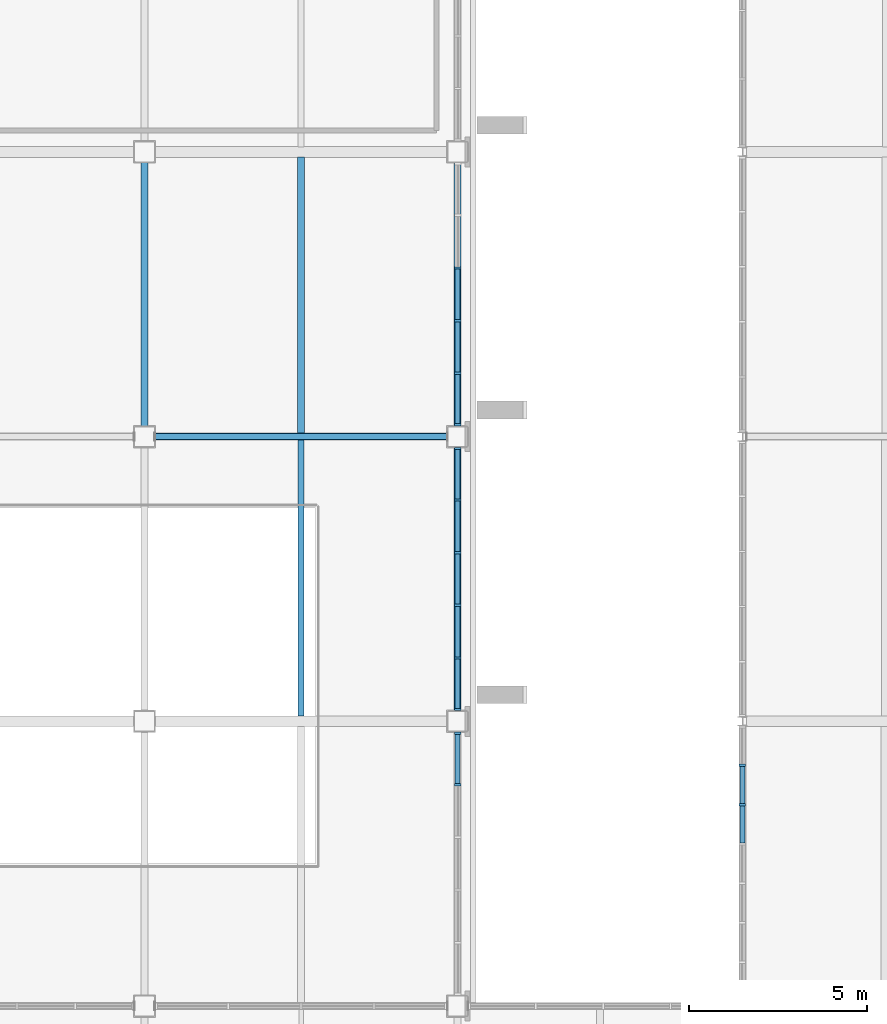
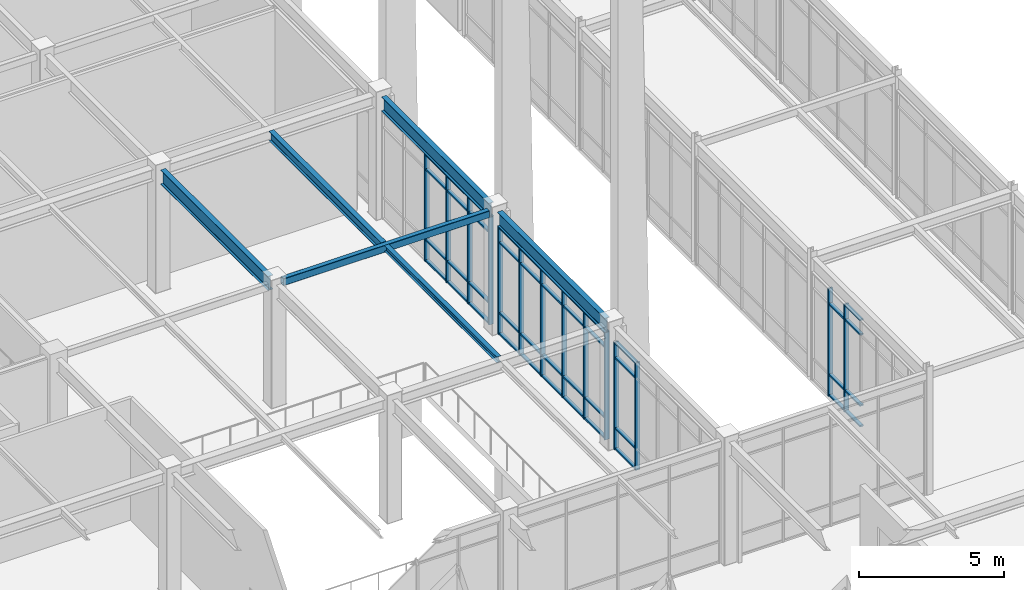
# One storey, part 40 of 184: 57 members, 6 beams, 4 elements without a shape of their own.
"""IFC4 building model written with IfcOpenShell, lengths in metres."""

from ifc_helpers import new_model, si_unit, direction, frame, origin, origin_2d, place, context, subcontext, project, spatial, rectangle, hollow_rectangle, i_section, extrude, material, material_profile, profile_set, type_object, element, aggregate, save


model = new_model("IFC4")

# Units and contexts
model_context = context("Model", 3, precision=1e-05, world=origin(), true_north=direction((0.0, 1.0)))
body_context = subcontext(model_context, "Body", "Model", "MODEL_VIEW")
ifc_project = project(units=[si_unit("LENGTHUNIT", "METRE"), si_unit("AREAUNIT", "SQUARE_METRE"), si_unit("VOLUMEUNIT", "CUBIC_METRE"), si_unit("PLANEANGLEUNIT", "RADIAN"), si_unit("MASSUNIT", "GRAM", prefix="KILO")], contexts=[model_context])

# Site, building, storey
site_placement = place(None, origin())
site = spatial("IfcSite", under=ifc_project, at=site_placement, CompositionType="ELEMENT")
building_placement = place(site_placement, origin())
building = spatial("IfcBuilding", under=site, at=building_placement, Name="Zhaolan Boulevard Law Courts", CompositionType="ELEMENT")
storey_placement = place(building_placement, frame((0.0, 0.0, 5.39990234375)))
storey = spatial("IfcBuildingStorey", under=building, at=storey_placement, Name="L01", CompositionType="ELEMENT", Elevation=5.39990234375)

# Curtain wall, members
ifc_material_1 = material(Name="Thermally broken aluminium and low-E glazing", Category="aluminium")
curtain_wall_type_1 = type_object("IfcCurtainWallType", Name="CURTAIN WALL M18", PredefinedType="USERDEFINED", material=ifc_material_1)
curtain_wall_1_placement = place(storey_placement, origin())
curtain_wall_1 = element("IfcCurtainWall", 1, at=curtain_wall_1_placement, inside=storey, type_object=curtain_wall_type_1, Name="Curtain Wall CW-L01-066", ObjectType="CURTAIN WALL", PredefinedType="USERDEFINED")
ifc_material_2 = material(Name="Fluorocarbon-coated aluminium 6063-T6", Category="aluminium")
ifc_material_profile_1 = material_profile(ifc_material_2, rectangle(XDim=0.179931640625, YDim=0.06494140625, at=origin_2d()), Name="AL65x180")
ifc_profile_set_1 = profile_set([ifc_material_profile_1], Name="Fluorocarbon-coated aluminium 6063-T6")
member_type_1 = type_object("IfcMemberType", Name="CWMULLION 65X180", PredefinedType="MULLION", material=ifc_profile_set_1)
member_1_placement = place(storey_placement, frame((52.0, 36.766357421875, 0.0), z_axis=(0.0, 0.0, 1.0), x_axis=(1.0, 0.0, 0.0)))
member_1 = element("IfcMember", 2, at=member_1_placement, type_object=member_type_1, Name="CW-L01-066 mullion 2", PredefinedType="MULLION", context=body_context, shape_type="SweptSolid", body=[
    extrude(rectangle(XDim=0.179931640625, YDim=0.06494140625, at=origin_2d()), origin(), (0.0, 0.0, 1.0), 4.533203125),
])
member_2_placement = place(storey_placement, frame((52.0, 35.659912109375, 0.0), z_axis=(0.0, 0.0, 1.0), x_axis=(1.0, 0.0, 0.0)))
member_2 = element("IfcMember", 3, at=member_2_placement, type_object=member_type_1, Name="CW-L01-066 mullion 3", PredefinedType="MULLION", context=body_context, shape_type="SweptSolid", body=[
    extrude(rectangle(XDim=0.179931640625, YDim=0.06494140625, at=origin_2d()), origin(), (0.0, 0.0, 1.0), 4.533203125),
])

ifc_material_3 = material(Name="Thermally broken aluminium and low-E glazing", Category="aluminium")
curtain_wall_type_2 = type_object("IfcCurtainWallType", Name="CURTAIN WALL M1", PredefinedType="USERDEFINED", material=ifc_material_3)
curtain_wall_2_placement = place(storey_placement, origin())
curtain_wall_2 = element("IfcCurtainWall", 4, at=curtain_wall_2_placement, inside=storey, type_object=curtain_wall_type_2, Name="Curtain Wall CW-L01-145", ObjectType="CURTAIN WALL", PredefinedType="USERDEFINED")
member_3_placement = place(storey_placement, frame((44.0, 36.21875, 0.0), z_axis=(0.0, 0.0, 1.0), x_axis=(-1.0, 0.0, 0.0)))
member_3 = element("IfcMember", 5, at=member_3_placement, type_object=member_type_1, Name="CW-L01-145 mullion 5", PredefinedType="MULLION", context=body_context, shape_type="SweptSolid", body=[
    extrude(rectangle(XDim=0.179931640625, YDim=0.06494140625, at=origin_2d()), origin(), (0.0, 0.0, 1.0), 4.523193359375),
])
member_4_placement = place(storey_placement, frame((44.0, 37.66552734375, 0.0), z_axis=(0.0, 0.0, 1.0), x_axis=(-1.0, 0.0, 0.0)))
member_4 = element("IfcMember", 6, at=member_4_placement, type_object=member_type_1, Name="CW-L01-145 mullion 6", PredefinedType="MULLION", context=body_context, shape_type="SweptSolid", body=[
    extrude(rectangle(XDim=0.179931640625, YDim=0.06494140625, at=origin_2d()), origin(), (0.0, 0.0, 1.0), 4.523193359375),
])

ifc_material_4 = material(Name="Thermally broken aluminium and low-E glazing", Category="aluminium")
curtain_wall_type_3 = type_object("IfcCurtainWallType", Name="CURTAIN WALL M2", PredefinedType="USERDEFINED", material=ifc_material_4)
curtain_wall_3_placement = place(storey_placement, origin())
curtain_wall_3 = element("IfcCurtainWall", 7, at=curtain_wall_3_placement, inside=storey, type_object=curtain_wall_type_3, Name="Curtain Wall CW-L01-146", ObjectType="CURTAIN WALL", PredefinedType="USERDEFINED")
member_5_placement = place(storey_placement, frame((44.0, 38.33447265625, 0.0), z_axis=(0.0, 0.0, 1.0), x_axis=(-1.0, 0.0, 0.0)))
member_5 = element("IfcMember", 8, at=member_5_placement, type_object=member_type_1, Name="CW-L01-146 mullion 1", PredefinedType="MULLION", context=body_context, shape_type="SweptSolid", body=[
    extrude(rectangle(XDim=0.179931640625, YDim=0.06494140625, at=origin_2d()), origin(), (0.0, 0.0, 1.0), 4.523193359375),
])
member_6_placement = place(storey_placement, frame((44.0, 39.78125, 0.0), z_axis=(0.0, 0.0, 1.0), x_axis=(-1.0, 0.0, 0.0)))
member_6 = element("IfcMember", 9, at=member_6_placement, type_object=member_type_1, Name="CW-L01-146 mullion 2", PredefinedType="MULLION", context=body_context, shape_type="SweptSolid", body=[
    extrude(rectangle(XDim=0.179931640625, YDim=0.06494140625, at=origin_2d()), origin(), (0.0, 0.0, 1.0), 4.523193359375),
])
member_7_placement = place(storey_placement, frame((44.0, 41.260498046875, 0.0), z_axis=(0.0, 0.0, 1.0), x_axis=(-1.0, 0.0, 0.0)))
member_7 = element("IfcMember", 10, at=member_7_placement, type_object=member_type_1, Name="CW-L01-146 mullion 3", PredefinedType="MULLION", context=body_context, shape_type="SweptSolid", body=[
    extrude(rectangle(XDim=0.179931640625, YDim=0.06494140625, at=origin_2d()), origin(), (0.0, 0.0, 1.0), 4.523193359375),
])
member_8_placement = place(storey_placement, frame((44.0, 42.739501953125, 0.0), z_axis=(0.0, 0.0, 1.0), x_axis=(-1.0, 0.0, 0.0)))
member_8 = element("IfcMember", 11, at=member_8_placement, type_object=member_type_1, Name="CW-L01-146 mullion 4", PredefinedType="MULLION", context=body_context, shape_type="SweptSolid", body=[
    extrude(rectangle(XDim=0.179931640625, YDim=0.06494140625, at=origin_2d()), origin(), (0.0, 0.0, 1.0), 4.523193359375),
])
member_9_placement = place(storey_placement, frame((44.0, 44.21875, 0.0), z_axis=(0.0, 0.0, 1.0), x_axis=(-1.0, 0.0, 0.0)))
member_9 = element("IfcMember", 12, at=member_9_placement, type_object=member_type_1, Name="CW-L01-146 mullion 5", PredefinedType="MULLION", context=body_context, shape_type="SweptSolid", body=[
    extrude(rectangle(XDim=0.179931640625, YDim=0.06494140625, at=origin_2d()), origin(), (0.0, 0.0, 1.0), 4.523193359375),
])
member_10_placement = place(storey_placement, frame((44.0, 45.66552734375, 0.0), z_axis=(0.0, 0.0, 1.0), x_axis=(-1.0, 0.0, 0.0)))
member_10 = element("IfcMember", 13, at=member_10_placement, type_object=member_type_1, Name="CW-L01-146 mullion 6", PredefinedType="MULLION", context=body_context, shape_type="SweptSolid", body=[
    extrude(rectangle(XDim=0.179931640625, YDim=0.06494140625, at=origin_2d()), origin(), (0.0, 0.0, 1.0), 4.523193359375),
])

ifc_material_5 = material(Name="Thermally broken aluminium and low-E glazing", Category="aluminium")
curtain_wall_type_4 = type_object("IfcCurtainWallType", Name="CURTAIN WALL M3", PredefinedType="USERDEFINED", material=ifc_material_5)
curtain_wall_4_placement = place(storey_placement, origin())
curtain_wall_4 = element("IfcCurtainWall", 14, at=curtain_wall_4_placement, inside=storey, type_object=curtain_wall_type_4, Name="Curtain Wall CW-L01-147", ObjectType="CURTAIN WALL", PredefinedType="USERDEFINED")
member_11_placement = place(storey_placement, frame((44.0, 46.33447265625, 0.0), z_axis=(0.0, 0.0, 1.0), x_axis=(-1.0, 0.0, 0.0)))
member_11 = element("IfcMember", 15, at=member_11_placement, type_object=member_type_1, Name="CW-L01-147 mullion 1", PredefinedType="MULLION", context=body_context, shape_type="SweptSolid", body=[
    extrude(rectangle(XDim=0.179931640625, YDim=0.06494140625, at=origin_2d()), origin(), (0.0, 0.0, 1.0), 4.523193359375),
])
member_12_placement = place(storey_placement, frame((44.0, 47.78125, 0.0), z_axis=(0.0, 0.0, 1.0), x_axis=(-1.0, 0.0, 0.0)))
member_12 = element("IfcMember", 16, at=member_12_placement, type_object=member_type_1, Name="CW-L01-147 mullion 2", PredefinedType="MULLION", context=body_context, shape_type="SweptSolid", body=[
    extrude(rectangle(XDim=0.179931640625, YDim=0.06494140625, at=origin_2d()), origin(), (0.0, 0.0, 1.0), 4.523193359375),
])
member_13_placement = place(storey_placement, frame((44.0, 49.260498046875, 0.0), z_axis=(0.0, 0.0, 1.0), x_axis=(-1.0, 0.0, 0.0)))
member_13 = element("IfcMember", 17, at=member_13_placement, type_object=member_type_1, Name="CW-L01-147 mullion 3", PredefinedType="MULLION", context=body_context, shape_type="SweptSolid", body=[
    extrude(rectangle(XDim=0.179931640625, YDim=0.06494140625, at=origin_2d()), origin(), (0.0, 0.0, 1.0), 4.523193359375),
])
member_14_placement = place(storey_placement, frame((44.0, 50.739501953125, 0.0), z_axis=(0.0, 0.0, 1.0), x_axis=(-1.0, 0.0, 0.0)))
member_14 = element("IfcMember", 18, at=member_14_placement, type_object=member_type_1, Name="CW-L01-147 mullion 4", PredefinedType="MULLION", context=body_context, shape_type="SweptSolid", body=[
    extrude(rectangle(XDim=0.179931640625, YDim=0.06494140625, at=origin_2d()), origin(), (0.0, 0.0, 1.0), 4.523193359375),
])

# Member
ifc_material_6 = material(Name="Fluorocarbon-coated aluminium 6063-T6", Category="aluminium")
ifc_material_profile_2 = material_profile(ifc_material_6, rectangle(XDim=0.139892578125, YDim=0.06494140625, at=origin_2d()), Name="AL65x140")
ifc_profile_set_2 = profile_set([ifc_material_profile_2], Name="Fluorocarbon-coated aluminium 6063-T6")
member_type_2 = type_object("IfcMemberType", Name="CWTRANSOM 65X140", PredefinedType="USERDEFINED", material=ifc_profile_set_2)
member_15_placement = place(storey_placement, frame((52.0, 36.73388671875, 0.03271484375), z_axis=(0.0, -1.0, 0.0), x_axis=(1.0, 0.0, 0.0)))
member_15 = element("IfcMember", 19, at=member_15_placement, type_object=member_type_2, Name="CW-L01-066 transom 2.1", ObjectType="TRANSOM", PredefinedType="USERDEFINED", context=body_context, shape_type="SweptSolid", body=[
    extrude(rectangle(XDim=0.139892578125, YDim=0.06494140625, at=origin_2d()), origin(), (0.0, 0.0, 1.0), 1.04150390625),
])

member_16_placement = place(storey_placement, frame((52.0, 36.73388671875, 0.900146484375), z_axis=(0.0, -1.0, 0.0), x_axis=(1.0, 0.0, 0.0)))
member_16 = element("IfcMember", 20, at=member_16_placement, type_object=member_type_2, Name="CW-L01-066 transom 2.2", ObjectType="TRANSOM", PredefinedType="USERDEFINED", context=body_context, shape_type="SweptSolid", body=[
    extrude(rectangle(XDim=0.139892578125, YDim=0.06494140625, at=origin_2d()), origin(), (0.0, 0.0, 1.0), 1.04150390625),
])

member_17_placement = place(storey_placement, frame((52.0, 36.73388671875, 3.883056640625), z_axis=(0.0, -1.0, 0.0), x_axis=(1.0, 0.0, 0.0)))
member_17 = element("IfcMember", 21, at=member_17_placement, type_object=member_type_2, Name="CW-L01-066 transom 2.3", ObjectType="TRANSOM", PredefinedType="USERDEFINED", context=body_context, shape_type="SweptSolid", body=[
    extrude(rectangle(XDim=0.139892578125, YDim=0.06494140625, at=origin_2d()), origin(), (0.0, 0.0, 1.0), 1.04150390625),
])

member_18_placement = place(storey_placement, frame((52.0, 35.62744140625, 0.03271484375), z_axis=(0.0, -1.0, 0.0), x_axis=(1.0, 0.0, 0.0)))
member_18 = element("IfcMember", 22, at=member_18_placement, type_object=member_type_2, Name="CW-L01-066 transom 3.1", ObjectType="TRANSOM", PredefinedType="USERDEFINED", context=body_context, shape_type="SweptSolid", body=[
    extrude(rectangle(XDim=0.139892578125, YDim=0.06494140625, at=origin_2d()), origin(), (0.0, 0.0, 1.0), 1.041748046875),
])

member_19_placement = place(storey_placement, frame((52.0, 35.62744140625, 0.900146484375), z_axis=(0.0, -1.0, 0.0), x_axis=(1.0, 0.0, 0.0)))
member_19 = element("IfcMember", 23, at=member_19_placement, type_object=member_type_2, Name="CW-L01-066 transom 3.2", ObjectType="TRANSOM", PredefinedType="USERDEFINED", context=body_context, shape_type="SweptSolid", body=[
    extrude(rectangle(XDim=0.139892578125, YDim=0.06494140625, at=origin_2d()), origin(), (0.0, 0.0, 1.0), 1.041748046875),
])

member_20_placement = place(storey_placement, frame((52.0, 35.62744140625, 3.883056640625), z_axis=(0.0, -1.0, 0.0), x_axis=(1.0, 0.0, 0.0)))
member_20 = element("IfcMember", 24, at=member_20_placement, type_object=member_type_2, Name="CW-L01-066 transom 3.3", ObjectType="TRANSOM", PredefinedType="USERDEFINED", context=body_context, shape_type="SweptSolid", body=[
    extrude(rectangle(XDim=0.139892578125, YDim=0.06494140625, at=origin_2d()), origin(), (0.0, 0.0, 1.0), 1.041748046875),
])

member_21_placement = place(storey_placement, frame((52.0, 35.62744140625, 4.50048828125), z_axis=(0.0, -1.0, 0.0), x_axis=(1.0, 0.0, 0.0)))
member_21 = element("IfcMember", 25, at=member_21_placement, type_object=member_type_2, Name="CW-L01-066 transom 3.4", ObjectType="TRANSOM", PredefinedType="USERDEFINED", context=body_context, shape_type="SweptSolid", body=[
    extrude(rectangle(XDim=0.139892578125, YDim=0.06494140625, at=origin_2d()), origin(), (0.0, 0.0, 1.0), 1.041748046875),
])

aggregate(curtain_wall_1, [member_1, member_2, member_15, member_16, member_17, member_18, member_19, member_20, member_21])

member_22_placement = place(storey_placement, frame((44.0, 36.251220703125, 0.03271484375), z_axis=(0.0, 1.0, 0.0), x_axis=(-1.0, 0.0, 0.0)))
member_22 = element("IfcMember", 26, at=member_22_placement, type_object=member_type_2, Name="CW-L01-145 transom 5.1", ObjectType="TRANSOM", PredefinedType="USERDEFINED", context=body_context, shape_type="SweptSolid", body=[
    extrude(rectangle(XDim=0.139892578125, YDim=0.06494140625, at=origin_2d()), origin(), (0.0, 0.0, 1.0), 1.3818359375),
])

member_23_placement = place(storey_placement, frame((44.0, 36.251220703125, 0.900146484375), z_axis=(0.0, 1.0, 0.0), x_axis=(-1.0, 0.0, 0.0)))
member_23 = element("IfcMember", 27, at=member_23_placement, type_object=member_type_2, Name="CW-L01-145 transom 5.2", ObjectType="TRANSOM", PredefinedType="USERDEFINED", context=body_context, shape_type="SweptSolid", body=[
    extrude(rectangle(XDim=0.139892578125, YDim=0.06494140625, at=origin_2d()), origin(), (0.0, 0.0, 1.0), 1.3818359375),
])

member_24_placement = place(storey_placement, frame((44.0, 36.251220703125, 3.873046875), z_axis=(0.0, 1.0, 0.0), x_axis=(-1.0, 0.0, 0.0)))
member_24 = element("IfcMember", 28, at=member_24_placement, type_object=member_type_2, Name="CW-L01-145 transom 5.3", ObjectType="TRANSOM", PredefinedType="USERDEFINED", context=body_context, shape_type="SweptSolid", body=[
    extrude(rectangle(XDim=0.139892578125, YDim=0.06494140625, at=origin_2d()), origin(), (0.0, 0.0, 1.0), 1.3818359375),
])

member_25_placement = place(storey_placement, frame((44.0, 36.251220703125, 4.490478515625), z_axis=(0.0, 1.0, 0.0), x_axis=(-1.0, 0.0, 0.0)))
member_25 = element("IfcMember", 29, at=member_25_placement, type_object=member_type_2, Name="CW-L01-145 transom 5.4", ObjectType="TRANSOM", PredefinedType="USERDEFINED", context=body_context, shape_type="SweptSolid", body=[
    extrude(rectangle(XDim=0.139892578125, YDim=0.06494140625, at=origin_2d()), origin(), (0.0, 0.0, 1.0), 1.3818359375),
])

aggregate(curtain_wall_2, [member_3, member_4, member_22, member_23, member_24, member_25])

member_26_placement = place(storey_placement, frame((44.0, 38.366943359375, 0.03271484375), z_axis=(0.0, 1.0, 0.0), x_axis=(-1.0, 0.0, 0.0)))
member_26 = element("IfcMember", 30, at=member_26_placement, type_object=member_type_2, Name="CW-L01-146 transom 1.1", ObjectType="TRANSOM", PredefinedType="USERDEFINED", context=body_context, shape_type="SweptSolid", body=[
    extrude(rectangle(XDim=0.139892578125, YDim=0.06494140625, at=origin_2d()), origin(), (0.0, 0.0, 1.0), 1.3818359375),
])

member_27_placement = place(storey_placement, frame((44.0, 38.366943359375, 0.900146484375), z_axis=(0.0, 1.0, 0.0), x_axis=(-1.0, 0.0, 0.0)))
member_27 = element("IfcMember", 31, at=member_27_placement, type_object=member_type_2, Name="CW-L01-146 transom 1.2", ObjectType="TRANSOM", PredefinedType="USERDEFINED", context=body_context, shape_type="SweptSolid", body=[
    extrude(rectangle(XDim=0.139892578125, YDim=0.06494140625, at=origin_2d()), origin(), (0.0, 0.0, 1.0), 1.3818359375),
])

member_28_placement = place(storey_placement, frame((44.0, 38.366943359375, 3.873046875), z_axis=(0.0, 1.0, 0.0), x_axis=(-1.0, 0.0, 0.0)))
member_28 = element("IfcMember", 32, at=member_28_placement, type_object=member_type_2, Name="CW-L01-146 transom 1.3", ObjectType="TRANSOM", PredefinedType="USERDEFINED", context=body_context, shape_type="SweptSolid", body=[
    extrude(rectangle(XDim=0.139892578125, YDim=0.06494140625, at=origin_2d()), origin(), (0.0, 0.0, 1.0), 1.3818359375),
])

member_29_placement = place(storey_placement, frame((44.0, 38.366943359375, 4.490478515625), z_axis=(0.0, 1.0, 0.0), x_axis=(-1.0, 0.0, 0.0)))
member_29 = element("IfcMember", 33, at=member_29_placement, type_object=member_type_2, Name="CW-L01-146 transom 1.4", ObjectType="TRANSOM", PredefinedType="USERDEFINED", context=body_context, shape_type="SweptSolid", body=[
    extrude(rectangle(XDim=0.139892578125, YDim=0.06494140625, at=origin_2d()), origin(), (0.0, 0.0, 1.0), 1.3818359375),
])

member_30_placement = place(storey_placement, frame((44.0, 39.813720703125, 0.03271484375), z_axis=(0.0, 1.0, 0.0), x_axis=(-1.0, 0.0, 0.0)))
member_30 = element("IfcMember", 34, at=member_30_placement, type_object=member_type_2, Name="CW-L01-146 transom 2.1", ObjectType="TRANSOM", PredefinedType="USERDEFINED", context=body_context, shape_type="SweptSolid", body=[
    extrude(rectangle(XDim=0.139892578125, YDim=0.06494140625, at=origin_2d()), origin(), (0.0, 0.0, 1.0), 1.4140625),
])

member_31_placement = place(storey_placement, frame((44.0, 39.813720703125, 0.900146484375), z_axis=(0.0, 1.0, 0.0), x_axis=(-1.0, 0.0, 0.0)))
member_31 = element("IfcMember", 35, at=member_31_placement, type_object=member_type_2, Name="CW-L01-146 transom 2.2", ObjectType="TRANSOM", PredefinedType="USERDEFINED", context=body_context, shape_type="SweptSolid", body=[
    extrude(rectangle(XDim=0.139892578125, YDim=0.06494140625, at=origin_2d()), origin(), (0.0, 0.0, 1.0), 1.4140625),
])

member_32_placement = place(storey_placement, frame((44.0, 39.813720703125, 3.873046875), z_axis=(0.0, 1.0, 0.0), x_axis=(-1.0, 0.0, 0.0)))
member_32 = element("IfcMember", 36, at=member_32_placement, type_object=member_type_2, Name="CW-L01-146 transom 2.3", ObjectType="TRANSOM", PredefinedType="USERDEFINED", context=body_context, shape_type="SweptSolid", body=[
    extrude(rectangle(XDim=0.139892578125, YDim=0.06494140625, at=origin_2d()), origin(), (0.0, 0.0, 1.0), 1.4140625),
])

member_33_placement = place(storey_placement, frame((44.0, 39.813720703125, 4.490478515625), z_axis=(0.0, 1.0, 0.0), x_axis=(-1.0, 0.0, 0.0)))
member_33 = element("IfcMember", 37, at=member_33_placement, type_object=member_type_2, Name="CW-L01-146 transom 2.4", ObjectType="TRANSOM", PredefinedType="USERDEFINED", context=body_context, shape_type="SweptSolid", body=[
    extrude(rectangle(XDim=0.139892578125, YDim=0.06494140625, at=origin_2d()), origin(), (0.0, 0.0, 1.0), 1.4140625),
])

member_34_placement = place(storey_placement, frame((44.0, 41.29296875, 0.03271484375), z_axis=(0.0, 1.0, 0.0), x_axis=(-1.0, 0.0, 0.0)))
member_34 = element("IfcMember", 38, at=member_34_placement, type_object=member_type_2, Name="CW-L01-146 transom 3.1", ObjectType="TRANSOM", PredefinedType="USERDEFINED", context=body_context, shape_type="SweptSolid", body=[
    extrude(rectangle(XDim=0.139892578125, YDim=0.06494140625, at=origin_2d()), origin(), (0.0, 0.0, 1.0), 1.4140625),
])

member_35_placement = place(storey_placement, frame((44.0, 41.29296875, 0.900146484375), z_axis=(0.0, 1.0, 0.0), x_axis=(-1.0, 0.0, 0.0)))
member_35 = element("IfcMember", 39, at=member_35_placement, type_object=member_type_2, Name="CW-L01-146 transom 3.2", ObjectType="TRANSOM", PredefinedType="USERDEFINED", context=body_context, shape_type="SweptSolid", body=[
    extrude(rectangle(XDim=0.139892578125, YDim=0.06494140625, at=origin_2d()), origin(), (0.0, 0.0, 1.0), 1.4140625),
])

member_36_placement = place(storey_placement, frame((44.0, 41.29296875, 3.873046875), z_axis=(0.0, 1.0, 0.0), x_axis=(-1.0, 0.0, 0.0)))
member_36 = element("IfcMember", 40, at=member_36_placement, type_object=member_type_2, Name="CW-L01-146 transom 3.3", ObjectType="TRANSOM", PredefinedType="USERDEFINED", context=body_context, shape_type="SweptSolid", body=[
    extrude(rectangle(XDim=0.139892578125, YDim=0.06494140625, at=origin_2d()), origin(), (0.0, 0.0, 1.0), 1.4140625),
])

member_37_placement = place(storey_placement, frame((44.0, 41.29296875, 4.490478515625), z_axis=(0.0, 1.0, 0.0), x_axis=(-1.0, 0.0, 0.0)))
member_37 = element("IfcMember", 41, at=member_37_placement, type_object=member_type_2, Name="CW-L01-146 transom 3.4", ObjectType="TRANSOM", PredefinedType="USERDEFINED", context=body_context, shape_type="SweptSolid", body=[
    extrude(rectangle(XDim=0.139892578125, YDim=0.06494140625, at=origin_2d()), origin(), (0.0, 0.0, 1.0), 1.4140625),
])

member_38_placement = place(storey_placement, frame((44.0, 42.772216796875, 0.03271484375), z_axis=(0.0, 1.0, 0.0), x_axis=(-1.0, 0.0, 0.0)))
member_38 = element("IfcMember", 42, at=member_38_placement, type_object=member_type_2, Name="CW-L01-146 transom 4.1", ObjectType="TRANSOM", PredefinedType="USERDEFINED", context=body_context, shape_type="SweptSolid", body=[
    extrude(rectangle(XDim=0.139892578125, YDim=0.06494140625, at=origin_2d()), origin(), (0.0, 0.0, 1.0), 1.4140625),
])

member_39_placement = place(storey_placement, frame((44.0, 42.772216796875, 0.900146484375), z_axis=(0.0, 1.0, 0.0), x_axis=(-1.0, 0.0, 0.0)))
member_39 = element("IfcMember", 43, at=member_39_placement, type_object=member_type_2, Name="CW-L01-146 transom 4.2", ObjectType="TRANSOM", PredefinedType="USERDEFINED", context=body_context, shape_type="SweptSolid", body=[
    extrude(rectangle(XDim=0.139892578125, YDim=0.06494140625, at=origin_2d()), origin(), (0.0, 0.0, 1.0), 1.4140625),
])

member_40_placement = place(storey_placement, frame((44.0, 42.772216796875, 3.873046875), z_axis=(0.0, 1.0, 0.0), x_axis=(-1.0, 0.0, 0.0)))
member_40 = element("IfcMember", 44, at=member_40_placement, type_object=member_type_2, Name="CW-L01-146 transom 4.3", ObjectType="TRANSOM", PredefinedType="USERDEFINED", context=body_context, shape_type="SweptSolid", body=[
    extrude(rectangle(XDim=0.139892578125, YDim=0.06494140625, at=origin_2d()), origin(), (0.0, 0.0, 1.0), 1.4140625),
])

member_41_placement = place(storey_placement, frame((44.0, 42.772216796875, 4.490478515625), z_axis=(0.0, 1.0, 0.0), x_axis=(-1.0, 0.0, 0.0)))
member_41 = element("IfcMember", 45, at=member_41_placement, type_object=member_type_2, Name="CW-L01-146 transom 4.4", ObjectType="TRANSOM", PredefinedType="USERDEFINED", context=body_context, shape_type="SweptSolid", body=[
    extrude(rectangle(XDim=0.139892578125, YDim=0.06494140625, at=origin_2d()), origin(), (0.0, 0.0, 1.0), 1.4140625),
])

member_42_placement = place(storey_placement, frame((44.0, 44.251220703125, 0.03271484375), z_axis=(0.0, 1.0, 0.0), x_axis=(-1.0, 0.0, 0.0)))
member_42 = element("IfcMember", 46, at=member_42_placement, type_object=member_type_2, Name="CW-L01-146 transom 5.1", ObjectType="TRANSOM", PredefinedType="USERDEFINED", context=body_context, shape_type="SweptSolid", body=[
    extrude(rectangle(XDim=0.139892578125, YDim=0.06494140625, at=origin_2d()), origin(), (0.0, 0.0, 1.0), 1.3818359375),
])

member_43_placement = place(storey_placement, frame((44.0, 44.251220703125, 0.900146484375), z_axis=(0.0, 1.0, 0.0), x_axis=(-1.0, 0.0, 0.0)))
member_43 = element("IfcMember", 47, at=member_43_placement, type_object=member_type_2, Name="CW-L01-146 transom 5.2", ObjectType="TRANSOM", PredefinedType="USERDEFINED", context=body_context, shape_type="SweptSolid", body=[
    extrude(rectangle(XDim=0.139892578125, YDim=0.06494140625, at=origin_2d()), origin(), (0.0, 0.0, 1.0), 1.3818359375),
])

member_44_placement = place(storey_placement, frame((44.0, 44.251220703125, 3.873046875), z_axis=(0.0, 1.0, 0.0), x_axis=(-1.0, 0.0, 0.0)))
member_44 = element("IfcMember", 48, at=member_44_placement, type_object=member_type_2, Name="CW-L01-146 transom 5.3", ObjectType="TRANSOM", PredefinedType="USERDEFINED", context=body_context, shape_type="SweptSolid", body=[
    extrude(rectangle(XDim=0.139892578125, YDim=0.06494140625, at=origin_2d()), origin(), (0.0, 0.0, 1.0), 1.3818359375),
])

member_45_placement = place(storey_placement, frame((44.0, 44.251220703125, 4.490478515625), z_axis=(0.0, 1.0, 0.0), x_axis=(-1.0, 0.0, 0.0)))
member_45 = element("IfcMember", 49, at=member_45_placement, type_object=member_type_2, Name="CW-L01-146 transom 5.4", ObjectType="TRANSOM", PredefinedType="USERDEFINED", context=body_context, shape_type="SweptSolid", body=[
    extrude(rectangle(XDim=0.139892578125, YDim=0.06494140625, at=origin_2d()), origin(), (0.0, 0.0, 1.0), 1.3818359375),
])

aggregate(curtain_wall_3, [member_5, member_6, member_7, member_8, member_9, member_10, member_26, member_27, member_28, member_29, member_30, member_31, member_32, member_33, member_34, member_35, member_36, member_37, member_38, member_39, member_40, member_41, member_42, member_43, member_44, member_45])

member_46_placement = place(storey_placement, frame((44.0, 46.366943359375, 0.03271484375), z_axis=(0.0, 1.0, 0.0), x_axis=(-1.0, 0.0, 0.0)))
member_46 = element("IfcMember", 50, at=member_46_placement, type_object=member_type_2, Name="CW-L01-147 transom 1.1", ObjectType="TRANSOM", PredefinedType="USERDEFINED", context=body_context, shape_type="SweptSolid", body=[
    extrude(rectangle(XDim=0.139892578125, YDim=0.06494140625, at=origin_2d()), origin(), (0.0, 0.0, 1.0), 1.3818359375),
])

member_47_placement = place(storey_placement, frame((44.0, 46.366943359375, 0.900146484375), z_axis=(0.0, 1.0, 0.0), x_axis=(-1.0, 0.0, 0.0)))
member_47 = element("IfcMember", 51, at=member_47_placement, type_object=member_type_2, Name="CW-L01-147 transom 1.2", ObjectType="TRANSOM", PredefinedType="USERDEFINED", context=body_context, shape_type="SweptSolid", body=[
    extrude(rectangle(XDim=0.139892578125, YDim=0.06494140625, at=origin_2d()), origin(), (0.0, 0.0, 1.0), 1.3818359375),
])

member_48_placement = place(storey_placement, frame((44.0, 46.366943359375, 3.873046875), z_axis=(0.0, 1.0, 0.0), x_axis=(-1.0, 0.0, 0.0)))
member_48 = element("IfcMember", 52, at=member_48_placement, type_object=member_type_2, Name="CW-L01-147 transom 1.3", ObjectType="TRANSOM", PredefinedType="USERDEFINED", context=body_context, shape_type="SweptSolid", body=[
    extrude(rectangle(XDim=0.139892578125, YDim=0.06494140625, at=origin_2d()), origin(), (0.0, 0.0, 1.0), 1.3818359375),
])

member_49_placement = place(storey_placement, frame((44.0, 46.366943359375, 4.490478515625), z_axis=(0.0, 1.0, 0.0), x_axis=(-1.0, 0.0, 0.0)))
member_49 = element("IfcMember", 53, at=member_49_placement, type_object=member_type_2, Name="CW-L01-147 transom 1.4", ObjectType="TRANSOM", PredefinedType="USERDEFINED", context=body_context, shape_type="SweptSolid", body=[
    extrude(rectangle(XDim=0.139892578125, YDim=0.06494140625, at=origin_2d()), origin(), (0.0, 0.0, 1.0), 1.3818359375),
])

member_50_placement = place(storey_placement, frame((44.0, 47.813720703125, 0.03271484375), z_axis=(0.0, 1.0, 0.0), x_axis=(-1.0, 0.0, 0.0)))
member_50 = element("IfcMember", 54, at=member_50_placement, type_object=member_type_2, Name="CW-L01-147 transom 2.1", ObjectType="TRANSOM", PredefinedType="USERDEFINED", context=body_context, shape_type="SweptSolid", body=[
    extrude(rectangle(XDim=0.139892578125, YDim=0.06494140625, at=origin_2d()), origin(), (0.0, 0.0, 1.0), 1.4140625),
])

member_51_placement = place(storey_placement, frame((44.0, 47.813720703125, 0.900146484375), z_axis=(0.0, 1.0, 0.0), x_axis=(-1.0, 0.0, 0.0)))
member_51 = element("IfcMember", 55, at=member_51_placement, type_object=member_type_2, Name="CW-L01-147 transom 2.2", ObjectType="TRANSOM", PredefinedType="USERDEFINED", context=body_context, shape_type="SweptSolid", body=[
    extrude(rectangle(XDim=0.139892578125, YDim=0.06494140625, at=origin_2d()), origin(), (0.0, 0.0, 1.0), 1.4140625),
])

member_52_placement = place(storey_placement, frame((44.0, 47.813720703125, 3.873046875), z_axis=(0.0, 1.0, 0.0), x_axis=(-1.0, 0.0, 0.0)))
member_52 = element("IfcMember", 56, at=member_52_placement, type_object=member_type_2, Name="CW-L01-147 transom 2.3", ObjectType="TRANSOM", PredefinedType="USERDEFINED", context=body_context, shape_type="SweptSolid", body=[
    extrude(rectangle(XDim=0.139892578125, YDim=0.06494140625, at=origin_2d()), origin(), (0.0, 0.0, 1.0), 1.4140625),
])

member_53_placement = place(storey_placement, frame((44.0, 47.813720703125, 4.490478515625), z_axis=(0.0, 1.0, 0.0), x_axis=(-1.0, 0.0, 0.0)))
member_53 = element("IfcMember", 57, at=member_53_placement, type_object=member_type_2, Name="CW-L01-147 transom 2.4", ObjectType="TRANSOM", PredefinedType="USERDEFINED", context=body_context, shape_type="SweptSolid", body=[
    extrude(rectangle(XDim=0.139892578125, YDim=0.06494140625, at=origin_2d()), origin(), (0.0, 0.0, 1.0), 1.4140625),
])

member_54_placement = place(storey_placement, frame((44.0, 49.29296875, 0.03271484375), z_axis=(0.0, 1.0, 0.0), x_axis=(-1.0, 0.0, 0.0)))
member_54 = element("IfcMember", 58, at=member_54_placement, type_object=member_type_2, Name="CW-L01-147 transom 3.1", ObjectType="TRANSOM", PredefinedType="USERDEFINED", context=body_context, shape_type="SweptSolid", body=[
    extrude(rectangle(XDim=0.139892578125, YDim=0.06494140625, at=origin_2d()), origin(), (0.0, 0.0, 1.0), 1.4140625),
])

member_55_placement = place(storey_placement, frame((44.0, 49.29296875, 0.900146484375), z_axis=(0.0, 1.0, 0.0), x_axis=(-1.0, 0.0, 0.0)))
member_55 = element("IfcMember", 59, at=member_55_placement, type_object=member_type_2, Name="CW-L01-147 transom 3.2", ObjectType="TRANSOM", PredefinedType="USERDEFINED", context=body_context, shape_type="SweptSolid", body=[
    extrude(rectangle(XDim=0.139892578125, YDim=0.06494140625, at=origin_2d()), origin(), (0.0, 0.0, 1.0), 1.4140625),
])

member_56_placement = place(storey_placement, frame((44.0, 49.29296875, 3.873046875), z_axis=(0.0, 1.0, 0.0), x_axis=(-1.0, 0.0, 0.0)))
member_56 = element("IfcMember", 60, at=member_56_placement, type_object=member_type_2, Name="CW-L01-147 transom 3.3", ObjectType="TRANSOM", PredefinedType="USERDEFINED", context=body_context, shape_type="SweptSolid", body=[
    extrude(rectangle(XDim=0.139892578125, YDim=0.06494140625, at=origin_2d()), origin(), (0.0, 0.0, 1.0), 1.4140625),
])

member_57_placement = place(storey_placement, frame((44.0, 49.29296875, 4.490478515625), z_axis=(0.0, 1.0, 0.0), x_axis=(-1.0, 0.0, 0.0)))
member_57 = element("IfcMember", 61, at=member_57_placement, type_object=member_type_2, Name="CW-L01-147 transom 3.4", ObjectType="TRANSOM", PredefinedType="USERDEFINED", context=body_context, shape_type="SweptSolid", body=[
    extrude(rectangle(XDim=0.139892578125, YDim=0.06494140625, at=origin_2d()), origin(), (0.0, 0.0, 1.0), 1.4140625),
])

aggregate(curtain_wall_4, [member_11, member_12, member_13, member_14, member_46, member_47, member_48, member_49, member_50, member_51, member_52, member_53, member_54, member_55, member_56, member_57])

# Beams
ifc_material_7 = material(Name="Structural steel Q355B", Category="steel")
ifc_material_profile_3 = material_profile(ifc_material_7, i_section(OverallWidth=0.199951171875, OverallDepth=0.60009765625, WebThickness=0.010986328125, FlangeThickness=0.01708984375, FilletRadius=0.02001953125, at=origin_2d()), Name="HN600x200")
ifc_profile_set_3 = profile_set([ifc_material_profile_3], Name="Structural steel Q355B")
beam_type_1 = type_object("IfcBeamType", Name="GIRDER HN600", PredefinedType="BEAM", material=ifc_profile_set_3)
for number, where, z_axis, x_axis, name in (
    (62, (35.199951171875, 46.2958984375, 4.838134765625), (0.0, 1.0, 0.0), (-1.0, 0.0, 0.0), "Beam BY-L02-5-G-H"),
    (63, (44.0, 38.2958984375, 4.838134765625), (0.0, 1.0, 0.0), (-1.0, 0.0, 0.0), "Beam BY-L02-6-F-G"),
    (64, (44.0, 46.2958984375, 4.838134765625), (0.0, 1.0, 0.0), (-1.0, 0.0, 0.0), "Beam BY-L02-6-G-H"),
):
    element("IfcBeam", number, at=place(storey_placement, frame(where, z_axis=z_axis, x_axis=x_axis)), inside=storey, type_object=beam_type_1, Name=name, PredefinedType="BEAM", context=body_context, shape_type="SweptSolid", body=[
        extrude(i_section(OverallWidth=0.199951171875, OverallDepth=0.60009765625, WebThickness=0.010986328125, FlangeThickness=0.01708984375, FilletRadius=0.02001953125, at=origin_2d()), origin(), (0.0, 0.0, 1.0), 7.408203125),
    ])
ifc_material_8 = material(Name="Structural steel Q355B", Category="steel")
ifc_material_profile_4 = material_profile(ifc_material_8, i_section(OverallWidth=0.175048828125, OverallDepth=0.243896484375, WebThickness=0.007080078125, FlangeThickness=0.010986328125, FilletRadius=0.012939453125, at=origin_2d()), Name="HM244x175")
ifc_profile_set_4 = profile_set([ifc_material_profile_4], Name="Structural steel Q355B")
beam_type_2 = type_object("IfcBeamType", Name="JOIST HM244", PredefinedType="JOIST", material=ifc_profile_set_4)
beam_1_placement = place(storey_placement, frame((39.60009765625, 38.14599609375, 5.01611328125), z_axis=(0.0, 1.0, 0.0), x_axis=(-1.0, 0.0, 0.0)))
element("IfcBeam", 65, at=beam_1_placement, inside=storey, type_object=beam_type_2, Name="Composite Joist J-L02-5F", PredefinedType="JOIST", context=body_context, shape_type="SweptSolid", body=[
    extrude(i_section(OverallWidth=0.175048828125, OverallDepth=0.243896484375, WebThickness=0.007080078125, FlangeThickness=0.010986328125, FilletRadius=0.012939453125, at=origin_2d()), origin(), (0.0, 0.0, 1.0), 7.758056640625),
])
ifc_material_9 = material(Name="Structural steel Q355B", Category="steel")
ifc_material_profile_5 = material_profile(ifc_material_9, i_section(OverallWidth=0.199951171875, OverallDepth=0.39990234375, WebThickness=0.008056640625, FlangeThickness=0.012939453125, FilletRadius=0.013916015625, at=origin_2d()), Name="HN400x200")
ifc_profile_set_5 = profile_set([ifc_material_profile_5], Name="Structural steel Q355B")
beam_type_3 = type_object("IfcBeamType", Name="JOIST HN400", PredefinedType="JOIST", material=ifc_profile_set_5)
beam_2_placement = place(storey_placement, frame((39.60009765625, 46.095947265625, 4.93798828125), z_axis=(0.0, 1.0, 0.0), x_axis=(-1.0, 0.0, 0.0)))
element("IfcBeam", 66, at=beam_2_placement, inside=storey, type_object=beam_type_3, Name="Composite Joist J-L02-5G", PredefinedType="JOIST", context=body_context, shape_type="SweptSolid", body=[
    extrude(i_section(OverallWidth=0.199951171875, OverallDepth=0.39990234375, WebThickness=0.008056640625, FlangeThickness=0.012939453125, FilletRadius=0.013916015625, at=origin_2d()), origin(), (0.0, 0.0, 1.0), 7.758056640625),
])
ifc_material_10 = material(Name="Structural steel Q355B", Category="steel")
ifc_material_profile_6 = material_profile(ifc_material_10, hollow_rectangle(XDim=0.199951171875, YDim=0.300048828125, WallThickness=0.011962890625, InnerFilletRadius=0.011962890625, OuterFilletRadius=0.02392578125, at=origin_2d()), Name="HSS300x200x12")
ifc_profile_set_6 = profile_set([ifc_material_profile_6], Name="Structural steel Q355B")
beam_type_4 = type_object("IfcBeamType", Name="SPANDREL HSS300", PredefinedType="SPANDREL", material=ifc_profile_set_6)
beam_3_placement = place(storey_placement, frame((35.49609375, 46.0, 4.988037109375), z_axis=(1.0, 0.0, 0.0), x_axis=(0.0, 1.0, 0.0)))
element("IfcBeam", 67, at=beam_3_placement, inside=storey, type_object=beam_type_4, Name="Beam BX-L02-5-6-G", PredefinedType="SPANDREL", context=body_context, shape_type="SweptSolid", body=[
    extrude(hollow_rectangle(XDim=0.199951171875, YDim=0.300048828125, WallThickness=0.011962890625, InnerFilletRadius=0.011962890625, OuterFilletRadius=0.02392578125, at=origin_2d()), origin(), (0.0, 0.0, 1.0), 8.2080078125),
])

save(model, "model.ifc")
